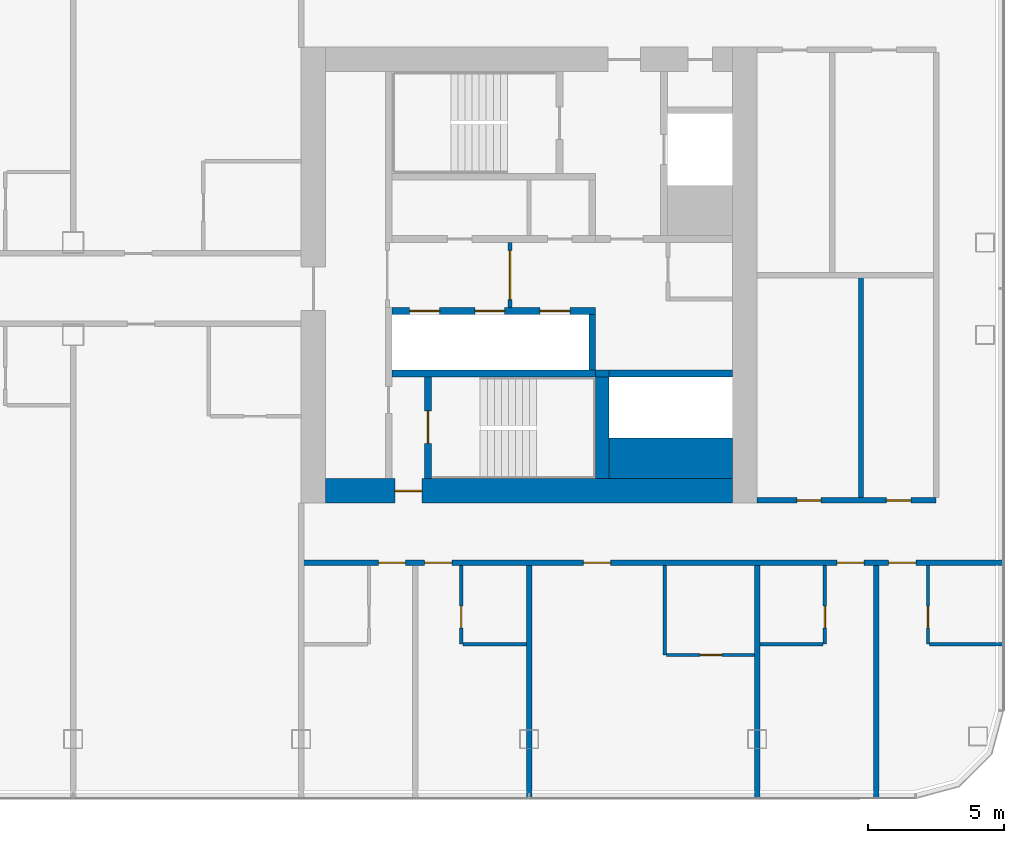
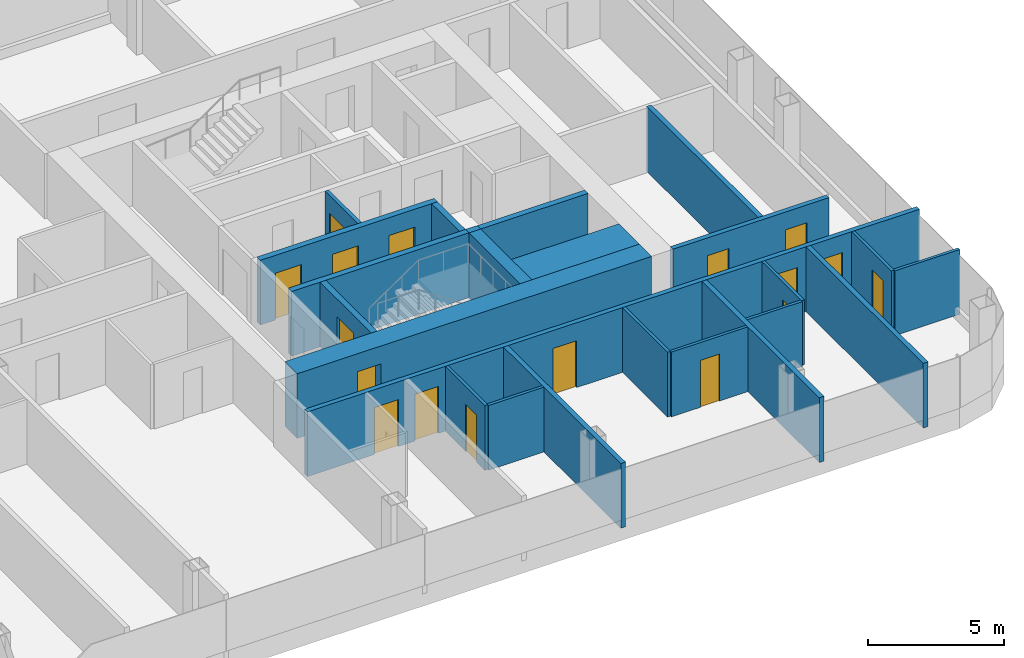
# One storey, part 16 of 26: 24 walls, 17 doors, 17 openings.
"""IFC4 building model written with IfcOpenShell, lengths in metres."""

import ifcopenshell
import ifcopenshell.guid

model = None  # the IFC model being written
_history = None  # IfcOwnerHistory: only IFC2X3 demands one
_inside = {}  # id of a spatial element -> (the spatial element, [elements in it])
_under = {}  # id of a project, library or spatial element -> (it, [spatial elements below it])
_declared = {}  # id of a project -> (the project, [libraries it declares])
_typed = {}  # id of a type object -> (the type object, [elements of that type])
_made_of = {}  # id of a material, layer set ... -> (it, [elements and type objects made of it])


def new_model(schema):
    """Start an empty IFC model of exactly this schema.

    Asked for "IFC4X3", IfcOpenShell would pick the latest addendum, in which some entities
    have other attributes; the version numbers below select the first issue.
    IFC2X3 requires an IfcOwnerHistory on every rooted entity: one is made here for all.
    """
    global model, _history
    if schema == "IFC4X3":
        model = ifcopenshell.file(schema_version=(4, 3, 0, 0))
    else:
        model = ifcopenshell.file(schema=schema)
    _inside.clear()
    _under.clear()
    _declared.clear()
    _typed.clear()
    _made_of.clear()
    _history = None
    if model.schema == "IFC2X3":
        org = make("IfcOrganization", Name="unknown")
        user = make(
            "IfcPersonAndOrganization",
            ThePerson=make("IfcPerson", FamilyName="unknown"),
            TheOrganization=org,
        )
        app = make(
            "IfcApplication",
            ApplicationDeveloper=org,
            Version="unknown",
            ApplicationFullName="unknown",
            ApplicationIdentifier="unknown",
        )
        _history = make(
            "IfcOwnerHistory",
            OwningUser=user,
            OwningApplication=app,
            ChangeAction="ADDED",
            CreationDate=0,
        )
    return model


def make(cls, **values):
    """One entity of the class cls with the attributes given. An attribute that is None is left unset."""
    return model.create_entity(
        cls, **{name: value for name, value in values.items() if value is not None}
    )


def rooted(cls, **values):
    """An entity with a GlobalId (a new one), such as an element, a storey or a relation."""
    return make(cls, GlobalId=ifcopenshell.guid.new(), OwnerHistory=_history, **values)


def si_unit(unit_type, name, prefix=None):
    """IfcSIUnit, for example si_unit("LENGTHUNIT", "METRE", prefix="MILLI")."""
    return make("IfcSIUnit", UnitType=unit_type, Prefix=prefix, Name=name)


def assignment(units):
    """IfcUnitAssignment: the units of a project."""
    return None if units is None else make("IfcUnitAssignment", Units=units)


def point(xyz):
    """IfcCartesianPoint."""
    return None if xyz is None else make("IfcCartesianPoint", Coordinates=xyz)


def direction(xyz):
    """IfcDirection."""
    return None if xyz is None else make("IfcDirection", DirectionRatios=xyz)


def frame(location, z_axis=None, x_axis=None):
    """IfcAxis2Placement3D, a coordinate frame: its origin and axes. An axis left out is left unset."""
    return make(
        "IfcAxis2Placement3D",
        Location=point(location),
        Axis=direction(z_axis),
        RefDirection=direction(x_axis),
    )


def frame_2d(location, x_axis=None):
    """IfcAxis2Placement2D, a coordinate frame in the plane: its origin and x axis."""
    return make(
        "IfcAxis2Placement2D", Location=point(location), RefDirection=direction(x_axis)
    )


def origin():
    """The frame at (0, 0, 0) with its axes left unset."""
    return frame((0.0, 0.0, 0.0))


def place(relative_to, where):
    """IfcLocalPlacement: puts the frame where relative to a parent placement (None: the world)."""
    return make(
        "IfcLocalPlacement", PlacementRelTo=relative_to, RelativePlacement=where
    )


def context(
    kind, dimensions, precision=None, world=None, true_north=None, identifier=None
):
    """IfcGeometricRepresentationContext, for example the 3D "Model" context."""
    return make(
        "IfcGeometricRepresentationContext",
        ContextIdentifier=identifier,
        ContextType=kind,
        CoordinateSpaceDimension=dimensions,
        Precision=precision,
        WorldCoordinateSystem=world,
        TrueNorth=true_north,
    )


def subcontext(parent, identifier, kind, view, scale=None):
    """IfcGeometricRepresentationSubContext, for example "Body" below "Model"."""
    return make(
        "IfcGeometricRepresentationSubContext",
        ContextIdentifier=identifier,
        ContextType=kind,
        ParentContext=parent,
        TargetScale=scale,
        TargetView=view,
    )


def project(units=None, contexts=None):
    """IfcProject with its units and contexts."""
    return rooted(
        "IfcProject",
        Name="project",
        RepresentationContexts=contexts,
        UnitsInContext=assignment(units),
    )


def spatial(cls, under=None, at=None, **own):
    """A site, building, storey or space (cls), placed at a placement, below another one or the project."""
    s = rooted(cls, ObjectPlacement=at, **own)
    if under is not None:
        _under.setdefault(under.id(), (under, []))[1].append(s)
    return s


def profile(cls, at=None, kind="AREA", **sizes):
    """A parametric profile (cls). Its sizes go by their IFC names, for example OverallWidth=200.0."""
    return make(cls, ProfileType=kind, Position=at, **sizes)


def rectangle(**sizes):
    """IfcRectangleProfileDef."""
    return profile("IfcRectangleProfileDef", **sizes)


def extrude(swept, where, along, depth):
    """IfcExtrudedAreaSolid: the profile swept, set in the frame where, extruded along a direction by depth."""
    return make(
        "IfcExtrudedAreaSolid",
        SweptArea=swept,
        Position=where,
        ExtrudedDirection=direction(along),
        Depth=depth,
    )


def shape(context_of_items, identifier, shape_type, items):
    """IfcShapeRepresentation: the items that make up one representation, for example the "Body"."""
    return make(
        "IfcShapeRepresentation",
        ContextOfItems=context_of_items,
        RepresentationIdentifier=identifier,
        RepresentationType=shape_type,
        Items=items,
    )


def material(Name=None, Category=None):
    """IfcMaterial."""
    return make("IfcMaterial", Name=Name, Category=Category)


def layer(
    of_material, thickness, ventilated=None, Name=None, Category=None, Priority=None
):
    """IfcMaterialLayer: one layer of a wall or slab, of a material (None: an air gap)."""
    return make(
        "IfcMaterialLayer",
        Material=of_material,
        LayerThickness=thickness,
        IsVentilated=ventilated,
        Name=Name,
        Category=Category,
        Priority=Priority,
    )


def layer_set(layers, Name=None):
    """IfcMaterialLayerSet."""
    return make("IfcMaterialLayerSet", MaterialLayers=layers, LayerSetName=Name)


def made_of(thing, what):
    """Note that an element or type object is made of a material, layer set ...; save() writes the relation."""
    if what is not None:
        _made_of.setdefault(what.id(), (what, []))[1].append(thing)
    return thing


def type_object(cls, material=None, **own):
    """A type object (cls), such as IfcWallType, which elements share."""
    return made_of(rooted(cls, **own), material)


def element(
    cls,
    number,
    at=None,
    inside=None,
    cuts=None,
    type_object=None,
    material=None,
    context=None,
    identifier="Body",
    shape_type=None,
    held_by="IfcProductDefinitionShape",
    body=None,
    shapes=None,
    **own,
):
    """One element of the class cls, such as IfcWall. Its Tag is "e" and its number.

    at: its placement. inside: the storey or other place that contains it. cuts: it is an
    opening in that element (IfcRelVoidsElement). A single representation is given by context,
    identifier, shape_type and body (its items); several are given by shapes. held_by: the class
    of the entity that holds the representations. save() writes the other relations.
    """
    e = rooted(cls, Tag="e%d" % number, ObjectPlacement=at, **own)
    if body is not None:
        shapes = [shape(context, identifier, shape_type, body)]
    if shapes is not None:
        e.Representation = make(held_by, Representations=shapes)
    if inside is not None:
        _inside.setdefault(inside.id(), (inside, []))[1].append(e)
    if cuts is not None:
        rooted(
            "IfcRelVoidsElement", RelatingBuildingElement=cuts, RelatedOpeningElement=e
        )
    if type_object is not None:
        _typed.setdefault(type_object.id(), (type_object, []))[1].append(e)
    return made_of(e, material)


def fill(opening, filler):
    """IfcRelFillsElement: the door or window that sits in an opening."""
    return rooted(
        "IfcRelFillsElement",
        RelatingOpeningElement=opening,
        RelatedBuildingElement=filler,
    )


def aggregate(whole, parts):
    """IfcRelAggregates: a whole, such as a stair, and the parts it consists of."""
    return rooted("IfcRelAggregates", RelatingObject=whole, RelatedObjects=parts)


def save(model, path):
    """Write the relations noted so far, then the file.

    IfcRelAggregates (storeys below a building ...), IfcRelContainedInSpatialStructure (elements
    in a storey), IfcRelDefinesByType, IfcRelAssociatesMaterial and IfcRelDeclares: one each for
    every whole, place, type object, material and project.
    """
    for whole, parts in _under.values():
        aggregate(whole, parts)
    for where, things in _inside.values():
        rooted(
            "IfcRelContainedInSpatialStructure",
            RelatedElements=things,
            RelatingStructure=where,
        )
    for kind, things in _typed.values():
        rooted("IfcRelDefinesByType", RelatedObjects=things, RelatingType=kind)
    for what, things in _made_of.values():
        rooted("IfcRelAssociatesMaterial", RelatedObjects=things, RelatingMaterial=what)
    for by, libraries in _declared.values():
        rooted("IfcRelDeclares", RelatingContext=by, RelatedDefinitions=libraries)
    model.write(path)


model = new_model("IFC4")

# Units and contexts
model_context = context("Model", 3, precision=1e-05, world=origin(), true_north=direction((0.0, 1.0)))
body_context = subcontext(model_context, "Body", "Model", "MODEL_VIEW")
ifc_project = project(units=[si_unit("LENGTHUNIT", "METRE"), si_unit("AREAUNIT", "SQUARE_METRE"), si_unit("VOLUMEUNIT", "CUBIC_METRE"), si_unit("PLANEANGLEUNIT", "RADIAN"), si_unit("MASSUNIT", "GRAM", prefix="KILO")], contexts=[model_context])

# Site, building, storey
site_placement = place(None, origin())
site = spatial("IfcSite", under=ifc_project, at=site_placement, CompositionType="ELEMENT")
building_placement = place(site_placement, origin())
building = spatial("IfcBuilding", under=site, at=building_placement, Name="Hakoniwa Tower and Hamabe Station Hall", CompositionType="ELEMENT")
storey_placement = place(building_placement, frame((0.0, 0.0, 172.60009765625)))
storey = spatial("IfcBuildingStorey", under=building, at=storey_placement, Name="L49", CompositionType="ELEMENT", Elevation=172.60009765625)

# Wall, opening, door
ifc_material_1 = material(Name="Gypsum board partition", Category="gypsum")
ifc_layer_1 = layer(ifc_material_1, 0.125)
ifc_layer_set_1 = layer_set([ifc_layer_1], Name="Bathroom Partition 125")
wall_type_1 = type_object("IfcWallType", Name="Bathroom Partition 125", PredefinedType="PARTITIONING", material=ifc_layer_set_1)
wall_1_placement = place(storey_placement, frame((30.262451171875, -14.0, 0.0), z_axis=(0.0, 0.0, 1.0), x_axis=(1.0, 0.0, 0.0)))
wall_1 = element("IfcWall", 1, at=wall_1_placement, inside=storey, type_object=wall_type_1, Name="GW-L49-003", PredefinedType="PARTITIONING", context=body_context, shape_type="SweptSolid", body=[
    extrude(rectangle(XDim=3.237548828125, YDim=0.125, at=frame_2d((1.61865234375, 0.0))), origin(), (0.0, 0.0, 1.0), 2.89990234375),
])
opening_1_placement = place(wall_1_placement, frame((1.237548828125, 0.0, 0.0)))
opening_1 = element("IfcOpeningElement", 2, at=opening_1_placement, cuts=wall_1, Name="Opening GD-G3D2-03", PredefinedType="OPENING", context=body_context, shape_type="SweptSolid", body=[
    extrude(rectangle(XDim=0.800048828125, YDim=2.10009765625, at=frame_2d((0.39990234375, 1.050048828125))), frame((0.0, 0.072509765625, 0.0), z_axis=(0.0, -1.0, 0.0), x_axis=(1.0, 0.0, 0.0)), (0.0, 0.0, 1.0), 0.14501953125),
])
ifc_material_2 = material(Name="Timber door leaf", Category="wood")
door_type_1 = type_object("IfcDoorType", Name="Bathroom Door 800", OperationType="SINGLE_SWING_LEFT", PredefinedType="DOOR", material=ifc_material_2)
door_1_placement = place(opening_1_placement, origin())
door_1 = element("IfcDoor", 3, at=door_1_placement, inside=storey, type_object=door_type_1, Name="Door GD-G3D2-03", OperationType="SINGLE_SWING_RIGHT", OverallHeight=2.10009765625, OverallWidth=0.800048828125, PredefinedType="DOOR", context=body_context, shape_type="SweptSolid", body=[
    extrude(rectangle(XDim=0.800048828125, YDim=2.10009765625, at=frame_2d((0.39990234375, 1.050048828125))), frame((0.0, 0.02490234375, 0.0), z_axis=(0.0, -1.0, 0.0), x_axis=(1.0, 0.0, 0.0)), (0.0, 0.0, 1.0), 0.050048828125),
])
fill(opening_1, door_1)

# Walls
for number, where, z_axis, x_axis, name in (
    (4, (22.762451171875, -13.60009765625, 0.0), (0.0, 0.0, 1.0), (1.0, 0.0, 0.0), "GW-L49-007"),
    (5, (33.699951171875, -13.60009765625, 0.0), (0.0, 0.0, 1.0), (1.0, 0.0, 0.0), "GW-L49-008"),
):
    element("IfcWall", number, at=place(storey_placement, frame(where, z_axis=z_axis, x_axis=x_axis)), inside=storey, type_object=wall_type_1, Name=name, PredefinedType="PARTITIONING", context=body_context, shape_type="SweptSolid", body=[
        extrude(rectangle(XDim=2.337646484375, YDim=0.125, at=frame_2d((1.1689453125, 0.0))), origin(), (0.0, 0.0, 1.0), 2.89990234375),
    ])
wall_2_placement = place(storey_placement, frame((39.96240234375, -13.60009765625, 0.0), z_axis=(0.0, 0.0, 1.0), x_axis=(1.0, 0.0, 0.0)))
element("IfcWall", 6, at=wall_2_placement, inside=storey, type_object=wall_type_1, Name="GW-L49-009", PredefinedType="PARTITIONING", context=body_context, shape_type="SweptSolid", body=[
    extrude(rectangle(XDim=2.737548828125, YDim=0.125, at=frame_2d((1.36865234375, 0.0))), origin(), (0.0, 0.0, 1.0), 2.89990234375),
])

# Wall, opening, door
wall_3_placement = place(storey_placement, frame((22.699951171875, -13.60009765625, 0.0), z_axis=(0.0, 0.0, 1.0), x_axis=(0.0, 1.0, 0.0)))
wall_3 = element("IfcWall", 7, at=wall_3_placement, inside=storey, type_object=wall_type_1, Name="GW-L49-073", PredefinedType="PARTITIONING", context=body_context, shape_type="SweptSolid", body=[
    extrude(rectangle(XDim=2.900146484375, YDim=0.125, at=frame_2d((1.4501953125, 0.0))), origin(), (0.0, 0.0, 1.0), 2.89990234375),
])
opening_2_placement = place(wall_3_placement, frame((0.60009765625, 0.0, 0.0)))
opening_2 = element("IfcOpeningElement", 8, at=opening_2_placement, cuts=wall_3, Name="Opening GD-G3D2-54", PredefinedType="OPENING", context=body_context, shape_type="SweptSolid", body=[
    extrude(rectangle(XDim=0.800048828125, YDim=2.10009765625, at=frame_2d((0.39990234375, 1.050048828125))), frame((0.0, 0.072509765625, 0.0), z_axis=(0.0, -1.0, 0.0), x_axis=(1.0, 0.0, 0.0)), (0.0, 0.0, 1.0), 0.14501953125),
])
door_2_placement = place(opening_2_placement, origin())
door_2 = element("IfcDoor", 9, at=door_2_placement, inside=storey, type_object=door_type_1, Name="Door GD-G3D2-54", OperationType="SINGLE_SWING_LEFT", OverallHeight=2.10009765625, OverallWidth=0.800048828125, PredefinedType="DOOR", context=body_context, shape_type="SweptSolid", body=[
    extrude(rectangle(XDim=0.800048828125, YDim=2.10009765625, at=frame_2d((0.39990234375, 1.050048828125))), frame((0.0, 0.02490234375, 0.0), z_axis=(0.0, -1.0, 0.0), x_axis=(1.0, 0.0, 0.0)), (0.0, 0.0, 1.0), 0.050048828125),
])
fill(opening_2, door_2)

# Wall
wall_4_placement = place(storey_placement, frame((30.199951171875, -14.0, 0.0), z_axis=(0.0, 0.0, 1.0), x_axis=(0.0, 1.0, 0.0)))
element("IfcWall", 10, at=wall_4_placement, inside=storey, type_object=wall_type_1, Name="GW-L49-076", PredefinedType="PARTITIONING", context=body_context, shape_type="SweptSolid", body=[
    extrude(rectangle(XDim=3.300048828125, YDim=0.125, at=frame_2d((1.64990234375, 0.0))), origin(), (0.0, 0.0, 1.0), 2.89990234375),
])

# Wall, opening, door
wall_5_placement = place(storey_placement, frame((36.10009765625, -13.60009765625, 0.0), z_axis=(0.0, 0.0, 1.0), x_axis=(0.0, 1.0, 0.0)))
wall_5 = element("IfcWall", 11, at=wall_5_placement, inside=storey, type_object=wall_type_1, Name="GW-L49-079", PredefinedType="PARTITIONING", context=body_context, shape_type="SweptSolid", body=[
    extrude(rectangle(XDim=2.900146484375, YDim=0.125, at=frame_2d((1.4501953125, 0.0))), origin(), (0.0, 0.0, 1.0), 2.89990234375),
])
opening_3_placement = place(wall_5_placement, frame((0.60009765625, 0.0, 0.0)))
opening_3 = element("IfcOpeningElement", 12, at=opening_3_placement, cuts=wall_5, Name="Opening GD-G3D2-55", PredefinedType="OPENING", context=body_context, shape_type="SweptSolid", body=[
    extrude(rectangle(XDim=0.800048828125, YDim=2.10009765625, at=frame_2d((0.39990234375, 1.050048828125))), frame((0.0, 0.072509765625, 0.0), z_axis=(0.0, -1.0, 0.0), x_axis=(1.0, 0.0, 0.0)), (0.0, 0.0, 1.0), 0.14501953125),
])
door_3_placement = place(opening_3_placement, origin())
door_3 = element("IfcDoor", 13, at=door_3_placement, inside=storey, type_object=door_type_1, Name="Door GD-G3D2-55", OperationType="SINGLE_SWING_RIGHT", OverallHeight=2.10009765625, OverallWidth=0.800048828125, PredefinedType="DOOR", context=body_context, shape_type="SweptSolid", body=[
    extrude(rectangle(XDim=0.800048828125, YDim=2.10009765625, at=frame_2d((0.39990234375, 1.050048828125))), frame((0.0, 0.02490234375, 0.0), z_axis=(0.0, -1.0, 0.0), x_axis=(1.0, 0.0, 0.0)), (0.0, 0.0, 1.0), 0.050048828125),
])
fill(opening_3, door_3)

wall_6_placement = place(storey_placement, frame((39.89990234375, -13.60009765625, 0.0), z_axis=(0.0, 0.0, 1.0), x_axis=(0.0, 1.0, 0.0)))
wall_6 = element("IfcWall", 14, at=wall_6_placement, inside=storey, type_object=wall_type_1, Name="GW-L49-083", PredefinedType="PARTITIONING", context=body_context, shape_type="SweptSolid", body=[
    extrude(rectangle(XDim=2.900146484375, YDim=0.125, at=frame_2d((1.4501953125, 0.0))), origin(), (0.0, 0.0, 1.0), 2.89990234375),
])
opening_4_placement = place(wall_6_placement, frame((0.60009765625, 0.0, 0.0)))
opening_4 = element("IfcOpeningElement", 15, at=opening_4_placement, cuts=wall_6, Name="Opening GD-G3D2-56", PredefinedType="OPENING", context=body_context, shape_type="SweptSolid", body=[
    extrude(rectangle(XDim=0.800048828125, YDim=2.10009765625, at=frame_2d((0.39990234375, 1.050048828125))), frame((0.0, 0.072509765625, 0.0), z_axis=(0.0, -1.0, 0.0), x_axis=(1.0, 0.0, 0.0)), (0.0, 0.0, 1.0), 0.14501953125),
])
door_4_placement = place(opening_4_placement, origin())
door_4 = element("IfcDoor", 16, at=door_4_placement, inside=storey, type_object=door_type_1, Name="Door GD-G3D2-56", OperationType="SINGLE_SWING_LEFT", OverallHeight=2.10009765625, OverallWidth=0.800048828125, PredefinedType="DOOR", context=body_context, shape_type="SweptSolid", body=[
    extrude(rectangle(XDim=0.800048828125, YDim=2.10009765625, at=frame_2d((0.39990234375, 1.050048828125))), frame((0.0, 0.02490234375, 0.0), z_axis=(0.0, -1.0, 0.0), x_axis=(1.0, 0.0, 0.0)), (0.0, 0.0, 1.0), 0.050048828125),
])
fill(opening_4, door_4)

ifc_material_3 = material(Name="Gypsum board partition")
ifc_layer_2 = layer(ifc_material_3, 0.14990234375)
ifc_layer_set_2 = layer_set([ifc_layer_2], Name="CORE PARTITION 150 EI 60")
wall_type_2 = type_object("IfcWallType", Name="CORE PARTITION 150 EI 60", PredefinedType="PARTITIONING", material=ifc_layer_set_2)
wall_7_placement = place(storey_placement, frame((24.5, -1.199951171875, 0.0), z_axis=(0.0, 0.0, 1.0), x_axis=(0.0, 1.0, 0.0)))
wall_7 = element("IfcWall", 17, at=wall_7_placement, inside=storey, type_object=wall_type_2, Name="Core partition PL1 east", PredefinedType="PARTITIONING", context=body_context, shape_type="SweptSolid", body=[
    extrude(rectangle(XDim=2.39990234375, YDim=0.14990234375, at=frame_2d((1.199951171875, 0.0))), origin(), (0.0, 0.0, 1.0), 2.89990234375),
])
opening_5_placement = place(wall_7_placement, frame((0.300048828125, 0.0, 0.0)))
opening_5 = element("IfcOpeningElement", 18, at=opening_5_placement, cuts=wall_7, Name="Opening CD-E-LP1-18", PredefinedType="OPENING", context=body_context, shape_type="SweptSolid", body=[
    extrude(rectangle(XDim=1.800048828125, YDim=2.10009765625, at=frame_2d((0.89990234375, 1.050048828125))), frame((0.0, 0.0849609375, 0.0), z_axis=(0.0, -1.0, 0.0), x_axis=(1.0, 0.0, 0.0)), (0.0, 0.0, 1.0), 0.169921875),
])
ifc_material_4 = material(Name="Steel fire door", Category="steel")
door_type_2 = type_object("IfcDoorType", Name="CORE DOOR 1800 FD60", OperationType="DOUBLE_DOOR_SINGLE_SWING", PredefinedType="DOOR", material=ifc_material_4)
door_5_placement = place(opening_5_placement, origin())
door_5 = element("IfcDoor", 19, at=door_5_placement, inside=storey, type_object=door_type_2, Name="Lift lobby partition door", OperationType="DOUBLE_DOOR_SINGLE_SWING", OverallHeight=2.10009765625, OverallWidth=1.800048828125, PredefinedType="DOOR", context=body_context, shape_type="SweptSolid", body=[
    extrude(rectangle(XDim=1.800048828125, YDim=2.10009765625, at=frame_2d((0.89990234375, 1.050048828125))), frame((0.0, 0.02490234375, 0.0), z_axis=(0.0, -1.0, 0.0), x_axis=(1.0, 0.0, 0.0)), (0.0, 0.0, 1.0), 0.050048828125),
])
fill(opening_5, door_5)

ifc_material_5 = material(Name="Concrete C66", Category="concrete")
ifc_layer_3 = layer(ifc_material_5, 0.89990234375)
ifc_layer_set_3 = layer_set([ifc_layer_3], Name="CORE WALL 900 C66")
wall_type_3 = type_object("IfcWallType", Name="CORE WALL 900 C66", PredefinedType="SHEAR", material=ifc_layer_set_3)
wall_8_placement = place(storey_placement, frame((17.699951171875, -7.949951171875, 0.0), z_axis=(0.0, 0.0, 1.0), x_axis=(1.0, 0.0, 0.0)))
wall_8 = element("IfcWall", 20, at=wall_8_placement, inside=storey, type_object=wall_type_3, Name="Core wall SOUTH east", PredefinedType="SHEAR", context=body_context, shape_type="SweptSolid", body=[
    extrude(rectangle(XDim=15.0, YDim=0.89990234375, at=frame_2d((7.5, 0.0))), origin(), (0.0, 0.0, 1.0), 2.89990234375),
])
opening_6_placement = place(wall_8_placement, frame((2.550048828125, 0.0, 0.0)))
opening_6 = element("IfcOpeningElement", 21, at=opening_6_placement, cuts=wall_8, Name="Opening CD-E-FS3-10", PredefinedType="OPENING", context=body_context, shape_type="SweptSolid", body=[
    extrude(rectangle(XDim=1.0, YDim=2.10009765625, at=frame_2d((0.5, 1.050048828125))), frame((0.0, 0.4599609375, 0.0), z_axis=(0.0, -1.0, 0.0), x_axis=(1.0, 0.0, 0.0)), (0.0, 0.0, 1.0), 0.919921875),
])
ifc_material_6 = material(Name="Steel fire door", Category="steel")
door_type_3 = type_object("IfcDoorType", Name="CORE DOOR 1000 FD60", OperationType="NOTDEFINED", PredefinedType="DOOR", material=ifc_material_6)
door_6_placement = place(opening_6_placement, origin())
door_6 = element("IfcDoor", 22, at=door_6_placement, inside=storey, type_object=door_type_3, Name="Stair vestibule door", OperationType="SINGLE_SWING_LEFT", OverallHeight=2.10009765625, OverallWidth=1.0, PredefinedType="DOOR", context=body_context, shape_type="SweptSolid", body=[
    extrude(rectangle(XDim=1.0, YDim=2.10009765625, at=frame_2d((0.5, 1.050048828125))), frame((0.0, 0.02490234375, 0.0), z_axis=(0.0, -1.0, 0.0), x_axis=(1.0, 0.0, 0.0)), (0.0, 0.0, 1.0), 0.050048828125),
])
fill(opening_6, door_6)

# Wall
ifc_material_7 = material(Name="Concrete C66", Category="concrete")
ifc_layer_4 = layer(ifc_material_7, 1.5)
ifc_layer_set_4 = layer_set([ifc_layer_4], Name="CORE WEB WALL 1500 C66")
wall_type_4 = type_object("IfcWallType", Name="CORE WEB WALL 1500 C66", PredefinedType="SHEAR", material=ifc_layer_set_4)
wall_9_placement = place(storey_placement, frame((28.14990234375, -6.75, 0.0), z_axis=(0.0, 0.0, 1.0), x_axis=(1.0, 0.0, 0.0)))
element("IfcWall", 23, at=wall_9_placement, inside=storey, type_object=wall_type_4, Name="Core wall SER east", PredefinedType="SHEAR", context=body_context, shape_type="SweptSolid", body=[
    extrude(rectangle(XDim=4.550048828125, YDim=1.5, at=frame_2d((2.27490234375, 0.0))), origin(), (0.0, 0.0, 1.0), 2.89990234375),
])

# Wall, openings, doors
ifc_material_8 = material(Name="Concrete C66", Category="concrete")
ifc_layer_5 = layer(ifc_material_8, 0.25)
ifc_layer_set_5 = layer_set([ifc_layer_5], Name="CORE WEB WALL 250 C66")
wall_type_5 = type_object("IfcWallType", Name="CORE WEB WALL 250 C66", PredefinedType="SHEAR", material=ifc_layer_set_5)
wall_10_placement = place(storey_placement, frame((20.14990234375, -1.324951171875, 0.0), z_axis=(0.0, 0.0, 1.0), x_axis=(1.0, 0.0, 0.0)))
wall_10 = element("IfcWall", 24, at=wall_10_placement, inside=storey, type_object=wall_type_5, Name="Core wall SF east", PredefinedType="SHEAR", context=body_context, shape_type="SweptSolid", body=[
    extrude(rectangle(XDim=7.5, YDim=0.25, at=frame_2d((3.75, 0.0))), origin(), (0.0, 0.0, 1.0), 2.89990234375),
])
opening_7_placement = place(wall_10_placement, frame((0.64990234375, 0.0, 0.0)))
opening_7 = element("IfcOpeningElement", 25, at=opening_7_placement, cuts=wall_10, Name="Opening LD-HR4", PredefinedType="OPENING", context=body_context, shape_type="SweptSolid", body=[
    extrude(rectangle(XDim=1.10009765625, YDim=2.10009765625, at=frame_2d((0.550048828125, 1.050048828125))), frame((0.0, 0.135009765625, 0.0), z_axis=(0.0, -1.0, 0.0), x_axis=(1.0, 0.0, 0.0)), (0.0, 0.0, 1.0), 0.27001953125),
])
opening_8_placement = place(wall_10_placement, frame((3.050048828125, 0.0, 0.0)))
opening_8 = element("IfcOpeningElement", 26, at=opening_8_placement, cuts=wall_10, Name="Opening LD-HR5", PredefinedType="OPENING", context=body_context, shape_type="SweptSolid", body=[
    extrude(rectangle(XDim=1.10009765625, YDim=2.10009765625, at=frame_2d((0.550048828125, 1.050048828125))), frame((0.0, 0.135009765625, 0.0), z_axis=(0.0, -1.0, 0.0), x_axis=(1.0, 0.0, 0.0)), (0.0, 0.0, 1.0), 0.27001953125),
])
opening_9_placement = place(wall_10_placement, frame((5.449951171875, 0.0, 0.0)))
opening_9 = element("IfcOpeningElement", 27, at=opening_9_placement, cuts=wall_10, Name="Opening LD-HR6", PredefinedType="OPENING", context=body_context, shape_type="SweptSolid", body=[
    extrude(rectangle(XDim=1.10009765625, YDim=2.10009765625, at=frame_2d((0.550048828125, 1.050048828125))), frame((0.0, 0.135009765625, 0.0), z_axis=(0.0, -1.0, 0.0), x_axis=(1.0, 0.0, 0.0)), (0.0, 0.0, 1.0), 0.27001953125),
])
ifc_material_9 = material(Name="Stainless steel SUS304", Category="steel")
door_type_4 = type_object("IfcDoorType", Name="LIFT LANDING DOOR 1100 FD60", OperationType="DOUBLE_DOOR_SLIDING", PredefinedType="DOOR", material=ifc_material_9)
door_7_placement = place(opening_7_placement, origin())
door_7 = element("IfcDoor", 28, at=door_7_placement, inside=storey, type_object=door_type_4, Name="Lift landing door HR4 L49", OperationType="DOUBLE_DOOR_SLIDING", OverallHeight=2.10009765625, OverallWidth=1.10009765625, PredefinedType="DOOR", context=body_context, shape_type="SweptSolid", body=[
    extrude(rectangle(XDim=1.10009765625, YDim=2.10009765625, at=frame_2d((0.550048828125, 1.050048828125))), frame((0.0, 0.02490234375, 0.0), z_axis=(0.0, -1.0, 0.0), x_axis=(1.0, 0.0, 0.0)), (0.0, 0.0, 1.0), 0.050048828125),
])
fill(opening_7, door_7)
door_8_placement = place(opening_8_placement, origin())
door_8 = element("IfcDoor", 29, at=door_8_placement, inside=storey, type_object=door_type_4, Name="Lift landing door HR5 L49", OperationType="DOUBLE_DOOR_SLIDING", OverallHeight=2.10009765625, OverallWidth=1.10009765625, PredefinedType="DOOR", context=body_context, shape_type="SweptSolid", body=[
    extrude(rectangle(XDim=1.10009765625, YDim=2.10009765625, at=frame_2d((0.550048828125, 1.050048828125))), frame((0.0, 0.02490234375, 0.0), z_axis=(0.0, -1.0, 0.0), x_axis=(1.0, 0.0, 0.0)), (0.0, 0.0, 1.0), 0.050048828125),
])
fill(opening_8, door_8)
door_9_placement = place(opening_9_placement, origin())
door_9 = element("IfcDoor", 30, at=door_9_placement, inside=storey, type_object=door_type_4, Name="Lift landing door HR6 L49", OperationType="DOUBLE_DOOR_SLIDING", OverallHeight=2.10009765625, OverallWidth=1.10009765625, PredefinedType="DOOR", context=body_context, shape_type="SweptSolid", body=[
    extrude(rectangle(XDim=1.10009765625, YDim=2.10009765625, at=frame_2d((0.550048828125, 1.050048828125))), frame((0.0, 0.02490234375, 0.0), z_axis=(0.0, -1.0, 0.0), x_axis=(1.0, 0.0, 0.0)), (0.0, 0.0, 1.0), 0.050048828125),
])
fill(opening_9, door_9)

# Walls
wall_11_placement = place(storey_placement, frame((27.52490234375, -3.5, 0.0), z_axis=(0.0, 0.0, 1.0), x_axis=(0.0, 1.0, 0.0)))
element("IfcWall", 31, at=wall_11_placement, inside=storey, type_object=wall_type_5, Name="Core wall SE east", PredefinedType="SHEAR", context=body_context, shape_type="SweptSolid", body=[
    extrude(rectangle(XDim=2.050048828125, YDim=0.25, at=frame_2d((1.02490234375, 0.0))), origin(), (0.0, 0.0, 1.0), 2.89990234375),
])
wall_12_placement = place(storey_placement, frame((20.14990234375, -3.625, 0.0), z_axis=(0.0, 0.0, 1.0), x_axis=(1.0, 0.0, 0.0)))
element("IfcWall", 32, at=wall_12_placement, inside=storey, type_object=wall_type_5, Name="Core wall SR east", PredefinedType="SHEAR", context=body_context, shape_type="SweptSolid", body=[
    extrude(rectangle(XDim=7.5, YDim=0.25, at=frame_2d((3.75, 0.0))), origin(), (0.0, 0.0, 1.0), 2.89990234375),
])

# Wall, opening, door
wall_13_placement = place(storey_placement, frame((21.47509765625, -7.5, 0.0), z_axis=(0.0, 0.0, 1.0), x_axis=(0.0, 1.0, 0.0)))
wall_13 = element("IfcWall", 33, at=wall_13_placement, inside=storey, type_object=wall_type_5, Name="Core wall VE east", PredefinedType="SHEAR", context=body_context, shape_type="SweptSolid", body=[
    extrude(rectangle(XDim=3.75, YDim=0.25, at=frame_2d((1.875, 0.0))), origin(), (0.0, 0.0, 1.0), 2.89990234375),
])
opening_10_placement = place(wall_13_placement, frame((1.300048828125, 0.0, 0.0)))
opening_10 = element("IfcOpeningElement", 34, at=opening_10_placement, cuts=wall_13, Name="Opening CD-E-SS-12", PredefinedType="OPENING", context=body_context, shape_type="SweptSolid", body=[
    extrude(rectangle(XDim=1.199951171875, YDim=2.10009765625, at=frame_2d((0.60009765625, 1.050048828125))), frame((0.0, 0.135009765625, 0.0), z_axis=(0.0, -1.0, 0.0), x_axis=(1.0, 0.0, 0.0)), (0.0, 0.0, 1.0), 0.27001953125),
])
ifc_material_10 = material(Name="Steel fire door", Category="steel")
door_type_5 = type_object("IfcDoorType", Name="CORE DOOR 1200 FD60", OperationType="DOUBLE_DOOR_SINGLE_SWING", PredefinedType="DOOR", material=ifc_material_10)
door_10_placement = place(opening_10_placement, origin())
door_10 = element("IfcDoor", 35, at=door_10_placement, inside=storey, type_object=door_type_5, Name="Escape stair door", OperationType="DOUBLE_DOOR_SINGLE_SWING", OverallHeight=2.10009765625, OverallWidth=1.199951171875, PredefinedType="DOOR", context=body_context, shape_type="SweptSolid", body=[
    extrude(rectangle(XDim=1.199951171875, YDim=2.10009765625, at=frame_2d((0.60009765625, 1.050048828125))), frame((0.0, 0.02490234375, 0.0), z_axis=(0.0, -1.0, 0.0), x_axis=(1.0, 0.0, 0.0)), (0.0, 0.0, 1.0), 0.050048828125),
])
fill(opening_10, door_10)

# Walls
wall_14_placement = place(storey_placement, frame((28.14990234375, -3.625, 0.0), z_axis=(0.0, 0.0, 1.0), x_axis=(1.0, 0.0, 0.0)))
element("IfcWall", 36, at=wall_14_placement, inside=storey, type_object=wall_type_5, Name="Core wall SEF east", PredefinedType="SHEAR", context=body_context, shape_type="SweptSolid", body=[
    extrude(rectangle(XDim=4.550048828125, YDim=0.25, at=frame_2d((2.27490234375, 0.0))), origin(), (0.0, 0.0, 1.0), 2.89990234375),
])
wall_15_placement = place(storey_placement, frame((27.64990234375, -3.625, 0.0), z_axis=(0.0, 0.0, 1.0), x_axis=(1.0, 0.0, 0.0)))
element("IfcWall", 37, at=wall_15_placement, inside=storey, type_object=wall_type_5, Name="Core wall SRK east", PredefinedType="SHEAR", context=body_context, shape_type="SweptSolid", body=[
    extrude(rectangle(XDim=0.5, YDim=0.25, at=frame_2d((0.25, 0.0))), origin(), (0.0, 0.0, 1.0), 2.89990234375),
])
ifc_material_11 = material(Name="Concrete C66", Category="concrete")
ifc_layer_6 = layer(ifc_material_11, 0.5)
ifc_layer_set_6 = layer_set([ifc_layer_6], Name="CORE WEB WALL 500 C66")
wall_type_6 = type_object("IfcWallType", Name="CORE WEB WALL 500 C66", PredefinedType="SHEAR", material=ifc_layer_set_6)
wall_16_placement = place(storey_placement, frame((27.89990234375, -7.5, 0.0), z_axis=(0.0, 0.0, 1.0), x_axis=(0.0, 1.0, 0.0)))
element("IfcWall", 38, at=wall_16_placement, inside=storey, type_object=wall_type_6, Name="Core wall SSE east", PredefinedType="SHEAR", context=body_context, shape_type="SweptSolid", body=[
    extrude(rectangle(XDim=3.75, YDim=0.5, at=frame_2d((1.875, 0.0))), origin(), (0.0, 0.0, 1.0), 2.89990234375),
])

# Wall, openings, doors
ifc_material_12 = material(Name="Fire-rated gypsum board partition", Category="gypsum")
ifc_layer_7 = layer(ifc_material_12, 0.199951171875)
ifc_layer_set_7 = layer_set([ifc_layer_7], Name="Corridor Wall 200")
wall_type_7 = type_object("IfcWallType", Name="Corridor Wall 200", PredefinedType="PARTITIONING", material=ifc_layer_set_7)
wall_17_placement = place(storey_placement, frame((16.800048828125, -10.60009765625, 0.0), z_axis=(0.0, 0.0, 1.0), x_axis=(1.0, 0.0, 0.0)))
wall_17 = element("IfcWall", 39, at=wall_17_placement, inside=storey, type_object=wall_type_7, Name="GW-L49-011", PredefinedType="PARTITIONING", context=body_context, shape_type="SweptSolid", body=[
    extrude(rectangle(XDim=25.89990234375, YDim=0.199951171875, at=frame_2d((12.949951171875, 0.0))), origin(), (0.0, 0.0, 1.0), 2.89990234375),
])
opening_11_placement = place(wall_17_placement, frame((2.85009765625, 0.0, 0.0)))
opening_11 = element("IfcOpeningElement", 40, at=opening_11_placement, cuts=wall_17, Name="Opening GD-G3D2-08", PredefinedType="OPENING", context=body_context, shape_type="SweptSolid", body=[
    extrude(rectangle(XDim=1.0, YDim=2.10009765625, at=frame_2d((0.5, 1.050048828125))), frame((0.0, 0.10986328125, 0.0), z_axis=(0.0, -1.0, 0.0), x_axis=(1.0, 0.0, 0.0)), (0.0, 0.0, 1.0), 0.219970703125),
])
opening_12_placement = place(wall_17_placement, frame((4.550048828125, 0.0, 0.0)))
opening_12 = element("IfcOpeningElement", 41, at=opening_12_placement, cuts=wall_17, Name="Opening GD-G3D2-09", PredefinedType="OPENING", context=body_context, shape_type="SweptSolid", body=[
    extrude(rectangle(XDim=1.0, YDim=2.10009765625, at=frame_2d((0.5, 1.050048828125))), frame((0.0, 0.10986328125, 0.0), z_axis=(0.0, -1.0, 0.0), x_axis=(1.0, 0.0, 0.0)), (0.0, 0.0, 1.0), 0.219970703125),
])
opening_13_placement = place(wall_17_placement, frame((10.39990234375, 0.0, 0.0)))
opening_13 = element("IfcOpeningElement", 42, at=opening_13_placement, cuts=wall_17, Name="Opening GD-G3D2-10", PredefinedType="OPENING", context=body_context, shape_type="SweptSolid", body=[
    extrude(rectangle(XDim=1.0, YDim=2.10009765625, at=frame_2d((0.5, 1.050048828125))), frame((0.0, 0.10986328125, 0.0), z_axis=(0.0, -1.0, 0.0), x_axis=(1.0, 0.0, 0.0)), (0.0, 0.0, 1.0), 0.219970703125),
])
opening_14_placement = place(wall_17_placement, frame((19.75, 0.0, 0.0)))
opening_14 = element("IfcOpeningElement", 43, at=opening_14_placement, cuts=wall_17, Name="Opening GD-G3D2-11", PredefinedType="OPENING", context=body_context, shape_type="SweptSolid", body=[
    extrude(rectangle(XDim=1.0, YDim=2.10009765625, at=frame_2d((0.5, 1.050048828125))), frame((0.0, 0.10986328125, 0.0), z_axis=(0.0, -1.0, 0.0), x_axis=(1.0, 0.0, 0.0)), (0.0, 0.0, 1.0), 0.219970703125),
])
opening_15_placement = place(wall_17_placement, frame((21.64990234375, 0.0, 0.0)))
opening_15 = element("IfcOpeningElement", 44, at=opening_15_placement, cuts=wall_17, Name="Opening GD-G3D2-12", PredefinedType="OPENING", context=body_context, shape_type="SweptSolid", body=[
    extrude(rectangle(XDim=1.0, YDim=2.10009765625, at=frame_2d((0.5, 1.050048828125))), frame((0.0, 0.10986328125, 0.0), z_axis=(0.0, -1.0, 0.0), x_axis=(1.0, 0.0, 0.0)), (0.0, 0.0, 1.0), 0.219970703125),
])
ifc_material_13 = material(Name="Timber door leaf", Category="wood")
door_type_6 = type_object("IfcDoorType", Name="Guest Entrance Door 1000", OperationType="SINGLE_SWING_LEFT", PredefinedType="DOOR", material=ifc_material_13)
door_11_placement = place(opening_11_placement, origin())
door_11 = element("IfcDoor", 45, at=door_11_placement, inside=storey, type_object=door_type_6, Name="Door GD-G3D2-08", OperationType="SINGLE_SWING_RIGHT", OverallHeight=2.10009765625, OverallWidth=1.0, PredefinedType="DOOR", context=body_context, shape_type="SweptSolid", body=[
    extrude(rectangle(XDim=1.0, YDim=2.10009765625, at=frame_2d((0.5, 1.050048828125))), frame((0.0, 0.02490234375, 0.0), z_axis=(0.0, -1.0, 0.0), x_axis=(1.0, 0.0, 0.0)), (0.0, 0.0, 1.0), 0.050048828125),
])
fill(opening_11, door_11)
door_12_placement = place(opening_12_placement, origin())
door_12 = element("IfcDoor", 46, at=door_12_placement, inside=storey, type_object=door_type_6, Name="Door GD-G3D2-09", OperationType="SINGLE_SWING_LEFT", OverallHeight=2.10009765625, OverallWidth=1.0, PredefinedType="DOOR", context=body_context, shape_type="SweptSolid", body=[
    extrude(rectangle(XDim=1.0, YDim=2.10009765625, at=frame_2d((0.5, 1.050048828125))), frame((0.0, 0.02490234375, 0.0), z_axis=(0.0, -1.0, 0.0), x_axis=(1.0, 0.0, 0.0)), (0.0, 0.0, 1.0), 0.050048828125),
])
fill(opening_12, door_12)
door_13_placement = place(opening_13_placement, origin())
door_13 = element("IfcDoor", 47, at=door_13_placement, inside=storey, type_object=door_type_6, Name="Door GD-G3D2-10", OperationType="SINGLE_SWING_LEFT", OverallHeight=2.10009765625, OverallWidth=1.0, PredefinedType="DOOR", context=body_context, shape_type="SweptSolid", body=[
    extrude(rectangle(XDim=1.0, YDim=2.10009765625, at=frame_2d((0.5, 1.050048828125))), frame((0.0, 0.02490234375, 0.0), z_axis=(0.0, -1.0, 0.0), x_axis=(1.0, 0.0, 0.0)), (0.0, 0.0, 1.0), 0.050048828125),
])
fill(opening_13, door_13)
door_14_placement = place(opening_14_placement, origin())
door_14 = element("IfcDoor", 48, at=door_14_placement, inside=storey, type_object=door_type_6, Name="Door GD-G3D2-11", OperationType="SINGLE_SWING_RIGHT", OverallHeight=2.10009765625, OverallWidth=1.0, PredefinedType="DOOR", context=body_context, shape_type="SweptSolid", body=[
    extrude(rectangle(XDim=1.0, YDim=2.10009765625, at=frame_2d((0.5, 1.050048828125))), frame((0.0, 0.02490234375, 0.0), z_axis=(0.0, -1.0, 0.0), x_axis=(1.0, 0.0, 0.0)), (0.0, 0.0, 1.0), 0.050048828125),
])
fill(opening_14, door_14)
door_15_placement = place(opening_15_placement, origin())
door_15 = element("IfcDoor", 49, at=door_15_placement, inside=storey, type_object=door_type_6, Name="Door GD-G3D2-12", OperationType="SINGLE_SWING_LEFT", OverallHeight=2.10009765625, OverallWidth=1.0, PredefinedType="DOOR", context=body_context, shape_type="SweptSolid", body=[
    extrude(rectangle(XDim=1.0, YDim=2.10009765625, at=frame_2d((0.5, 1.050048828125))), frame((0.0, 0.02490234375, 0.0), z_axis=(0.0, -1.0, 0.0), x_axis=(1.0, 0.0, 0.0)), (0.0, 0.0, 1.0), 0.050048828125),
])
fill(opening_15, door_15)

wall_18_placement = place(storey_placement, frame((33.60009765625, -8.300048828125, 0.0), z_axis=(0.0, 0.0, 1.0), x_axis=(1.0, 0.0, 0.0)))
wall_18 = element("IfcWall", 50, at=wall_18_placement, inside=storey, type_object=wall_type_7, Name="GW-L49-013", PredefinedType="PARTITIONING", context=body_context, shape_type="SweptSolid", body=[
    extrude(rectangle(XDim=6.599853515625, YDim=0.199951171875, at=frame_2d((3.2998046875, 0.0))), origin(), (0.0, 0.0, 1.0), 2.89990234375),
])
opening_16_placement = place(wall_18_placement, frame((1.465087890625, 0.0, 0.0)))
opening_16 = element("IfcOpeningElement", 51, at=opening_16_placement, cuts=wall_18, Name="Opening GD-G3D2-15", PredefinedType="OPENING", context=body_context, shape_type="SweptSolid", body=[
    extrude(rectangle(XDim=0.89990234375, YDim=2.10009765625, at=frame_2d((0.449951171875, 1.050048828125))), frame((0.0, 0.10986328125, 0.0), z_axis=(0.0, -1.0, 0.0), x_axis=(1.0, 0.0, 0.0)), (0.0, 0.0, 1.0), 0.219970703125),
])
opening_17_placement = place(wall_18_placement, frame((4.764892578125, 0.0, 0.0)))
opening_17 = element("IfcOpeningElement", 52, at=opening_17_placement, cuts=wall_18, Name="Opening GD-G3D2-16", PredefinedType="OPENING", context=body_context, shape_type="SweptSolid", body=[
    extrude(rectangle(XDim=0.89990234375, YDim=2.10009765625, at=frame_2d((0.449951171875, 1.050048828125))), frame((0.0, 0.10986328125, 0.0), z_axis=(0.0, -1.0, 0.0), x_axis=(1.0, 0.0, 0.0)), (0.0, 0.0, 1.0), 0.219970703125),
])
ifc_material_14 = material(Name="Timber door leaf", Category="wood")
door_type_7 = type_object("IfcDoorType", Name="Service Door 900", OperationType="SINGLE_SWING_LEFT", PredefinedType="DOOR", material=ifc_material_14)
door_16_placement = place(opening_16_placement, origin())
door_16 = element("IfcDoor", 53, at=door_16_placement, inside=storey, type_object=door_type_7, Name="Door GD-G3D2-15", OperationType="SINGLE_SWING_LEFT", OverallHeight=2.10009765625, OverallWidth=0.89990234375, PredefinedType="DOOR", context=body_context, shape_type="SweptSolid", body=[
    extrude(rectangle(XDim=0.89990234375, YDim=2.10009765625, at=frame_2d((0.449951171875, 1.050048828125))), frame((0.0, 0.02490234375, 0.0), z_axis=(0.0, -1.0, 0.0), x_axis=(1.0, 0.0, 0.0)), (0.0, 0.0, 1.0), 0.050048828125),
])
fill(opening_16, door_16)
door_17_placement = place(opening_17_placement, origin())
door_17 = element("IfcDoor", 54, at=door_17_placement, inside=storey, type_object=door_type_7, Name="Door GD-G3D2-16", OperationType="SINGLE_SWING_RIGHT", OverallHeight=2.10009765625, OverallWidth=0.89990234375, PredefinedType="DOOR", context=body_context, shape_type="SweptSolid", body=[
    extrude(rectangle(XDim=0.89990234375, YDim=2.10009765625, at=frame_2d((0.449951171875, 1.050048828125))), frame((0.0, 0.02490234375, 0.0), z_axis=(0.0, -1.0, 0.0), x_axis=(1.0, 0.0, 0.0)), (0.0, 0.0, 1.0), 0.050048828125),
])
fill(opening_17, door_17)

# Walls
ifc_material_15 = material(Name="Fire-rated gypsum board partition", Category="gypsum")
ifc_layer_8 = layer(ifc_material_15, 0.199951171875)
ifc_layer_set_8 = layer_set([ifc_layer_8], Name="Party Wall 200")
wall_type_8 = type_object("IfcWallType", Name="Party Wall 200", PredefinedType="PARTITIONING", material=ifc_layer_set_8)
for number, where, z_axis, x_axis, name in (
    (55, (25.199951171875, -19.300048828125, 0.0), (0.0, 0.0, 1.0), (0.0, 1.0, 0.0), "GW-L49-074"),
    (56, (33.60009765625, -19.300048828125, 0.0), (0.0, 0.0, 1.0), (0.0, 1.0, 0.0), "GW-L49-077"),
):
    element("IfcWall", number, at=place(storey_placement, frame(where, z_axis=z_axis, x_axis=x_axis)), inside=storey, type_object=wall_type_8, Name=name, PredefinedType="PARTITIONING", context=body_context, shape_type="SweptSolid", body=[
        extrude(rectangle(XDim=8.60009765625, YDim=0.199951171875, at=frame_2d((4.300048828125, 0.0))), origin(), (0.0, 0.0, 1.0), 2.89990234375),
    ])
wall_19_placement = place(storey_placement, frame((37.429931640625, -8.199951171875, 0.0), z_axis=(0.0, 0.0, 1.0), x_axis=(0.0, 1.0, 0.0)))
element("IfcWall", 57, at=wall_19_placement, inside=storey, type_object=wall_type_8, Name="GW-L49-081", PredefinedType="PARTITIONING", context=body_context, shape_type="SweptSolid", body=[
    extrude(rectangle(XDim=8.199951171875, YDim=0.199951171875, at=frame_2d((4.10009765625, 0.0))), origin(), (0.0, 0.0, 1.0), 2.89990234375),
])
wall_20_placement = place(storey_placement, frame((38.0, -19.300048828125, 0.0), z_axis=(0.0, 0.0, 1.0), x_axis=(0.0, 1.0, 0.0)))
element("IfcWall", 58, at=wall_20_placement, inside=storey, type_object=wall_type_8, Name="GW-L49-082", PredefinedType="PARTITIONING", context=body_context, shape_type="SweptSolid", body=[
    extrude(rectangle(XDim=8.60009765625, YDim=0.199951171875, at=frame_2d((4.300048828125, 0.0))), origin(), (0.0, 0.0, 1.0), 2.89990234375),
])

save(model, "model.ifc")
